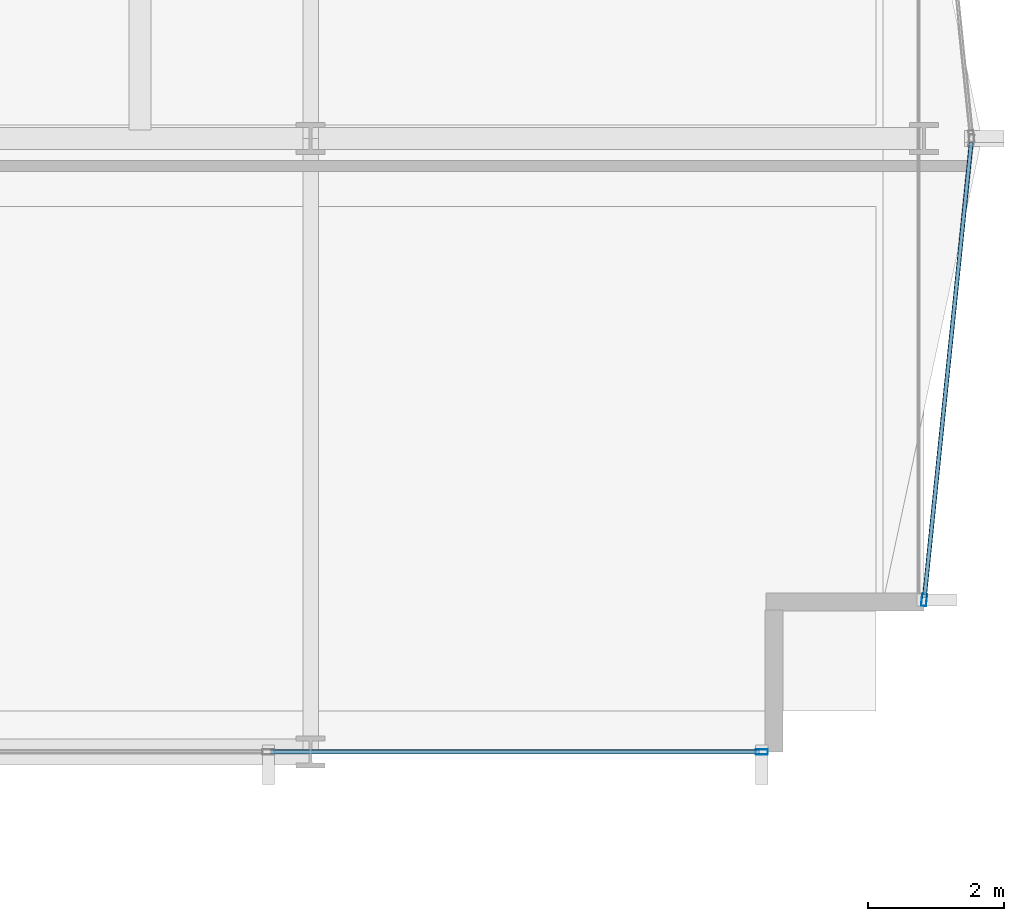
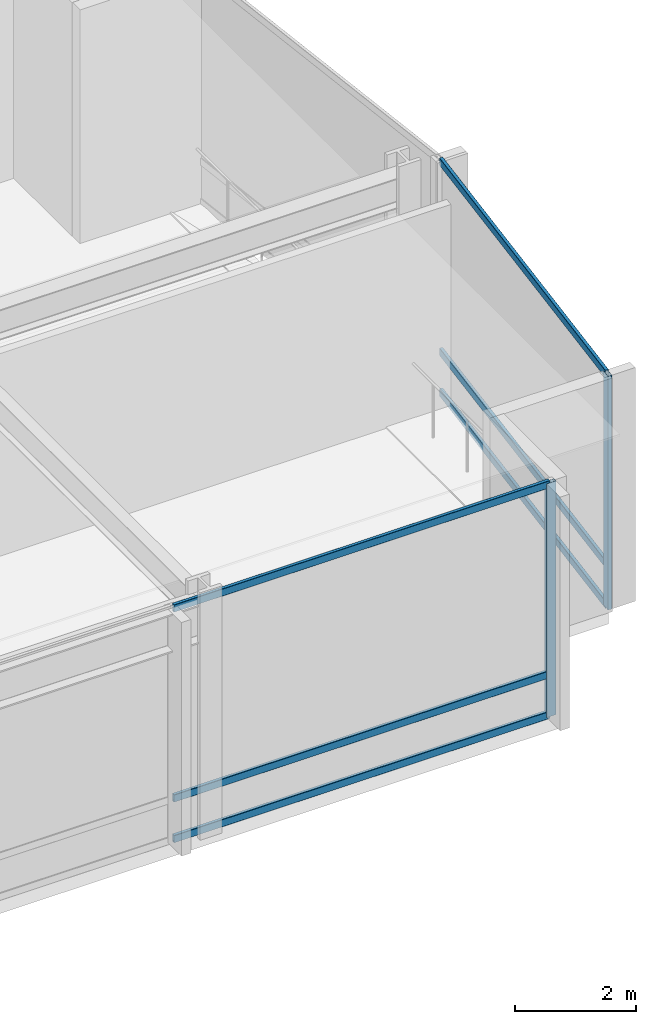
# One storey, part 14 of 39: 8 members, 2 elements without a shape of their own.
"""IFC4 building model written with IfcOpenShell, lengths in metres."""

from ifc_helpers import new_model, si_unit, direction, frame, origin, origin_2d, place, context, subcontext, project, spatial, hollow_rectangle, extrude, material, layer, layer_set, material_profile, profile_set, type_object, element, aggregate, save


model = new_model("IFC4")

# Units and contexts
model_context = context("Model", 3, precision=1e-05, world=origin(), true_north=direction((0.0, 1.0)))
body_context = subcontext(model_context, "Body", "Model", "MODEL_VIEW")
ifc_project = project(units=[si_unit("LENGTHUNIT", "METRE"), si_unit("AREAUNIT", "SQUARE_METRE"), si_unit("VOLUMEUNIT", "CUBIC_METRE"), si_unit("PLANEANGLEUNIT", "RADIAN"), si_unit("MASSUNIT", "GRAM", prefix="KILO")], contexts=[model_context])

# Site, building, storey
site_placement = place(None, origin())
site = spatial("IfcSite", under=ifc_project, at=site_placement, CompositionType="ELEMENT")
building_placement = place(site_placement, origin())
building = spatial("IfcBuilding", under=site, at=building_placement, Name="Solvaryn Broadcast Tower", CompositionType="ELEMENT")
storey_placement = place(building_placement, frame((0.0, 0.0, 84.10009765625)))
storey = spatial("IfcBuildingStorey", under=building, at=storey_placement, Name="L20", CompositionType="ELEMENT", Elevation=84.10009765625)

# Curtain wall, member
ifc_material_1 = material(Name="Aluminium and Terracotta Unitised Curtain Wall", Category="masonry")
ifc_layer = layer(ifc_material_1, 0.25)
ifc_layer_set = layer_set([ifc_layer], Name="CW-SYS4-SKYGARDEN")
curtain_wall_type = type_object("IfcCurtainWallType", Name="CW-SYS4-SKYGARDEN", PredefinedType="NOTDEFINED", material=ifc_layer_set)
curtain_wall_1_placement = place(storey_placement, origin())
curtain_wall_1 = element("IfcCurtainWall", 1, at=curtain_wall_1_placement, inside=storey, type_object=curtain_wall_type, Name="L20 Curtain Wall S2", PredefinedType="NOTDEFINED")
ifc_material_2 = material(Name="Anodised Aluminium 6063-T6", Category="aluminium")
ifc_material_profile_1 = material_profile(ifc_material_2, hollow_rectangle(XDim=0.074951171875, YDim=0.179931640625, WallThickness=0.00390625, InnerFilletRadius=0.00390625, OuterFilletRadius=0.008056640625, at=origin_2d()))
ifc_profile_set_1 = profile_set([ifc_material_profile_1], Name="Anodised Aluminium 6063-T6")
member_type_1 = type_object("IfcMemberType", Name="CW-MUL-180", PredefinedType="MULLION", material=ifc_profile_set_1)
member_1_placement = place(storey_placement, frame((60.6201171875, 9.0, 0.0), z_axis=(0.0, 0.0, 1.0), x_axis=(0.0, 1.0, 0.0)))
member_1 = element("IfcMember", 2, at=member_1_placement, type_object=member_type_1, Name="CWS4 mullion 3", PredefinedType="MULLION", context=body_context, shape_type="SweptSolid", body=[
    extrude(hollow_rectangle(XDim=0.074951171875, YDim=0.179931640625, WallThickness=0.00390625, InnerFilletRadius=0.00390625, OuterFilletRadius=0.008056640625, at=origin_2d()), origin(), (0.0, 0.0, 1.0), 4.719970703125),
])

curtain_wall_2_placement = place(storey_placement, origin())
curtain_wall_2 = element("IfcCurtainWall", 3, at=curtain_wall_2_placement, inside=storey, type_object=curtain_wall_type, Name="L20 Curtain Wall ET2", PredefinedType="NOTDEFINED")
member_2_placement = place(storey_placement, frame((63.003173828125, 11.229736328125, 0.0), z_axis=(0.0, 0.0, 1.0), x_axis=(0.99474329889, -0.10240004548, 0.0)))
member_2 = element("IfcMember", 4, at=member_2_placement, type_object=member_type_1, Name="CWS4 mullion 2", PredefinedType="MULLION", context=body_context, shape_type="SweptSolid", body=[
    extrude(hollow_rectangle(XDim=0.074951171875, YDim=0.179931640625, WallThickness=0.00390625, InnerFilletRadius=0.00390625, OuterFilletRadius=0.008056640625, at=origin_2d()), origin(), (0.0, 0.0, 1.0), 4.719970703125),
])

# Member
ifc_material_3 = material(Name="Anodised Aluminium 6063-T6", Category="aluminium")
ifc_material_profile_2 = material_profile(ifc_material_3, hollow_rectangle(XDim=0.06494140625, YDim=0.14990234375, WallThickness=0.00390625, InnerFilletRadius=0.00390625, OuterFilletRadius=0.008056640625, at=origin_2d()))
ifc_profile_set_2 = profile_set([ifc_material_profile_2], Name="Anodised Aluminium 6063-T6")
member_type_2 = type_object("IfcMemberType", Name="CW-TRN-150", PredefinedType="USERDEFINED", material=ifc_profile_set_2)
member_3_placement = place(storey_placement, frame((53.4130859375, 9.0, 0.02978515625), z_axis=(1.0, 0.0, 0.0), x_axis=(0.0, 1.0, 0.0)))
member_3 = element("IfcMember", 5, at=member_3_placement, type_object=member_type_2, Name="CWS4 transom 2.1", ObjectType="TRANSOM", PredefinedType="USERDEFINED", context=body_context, shape_type="SweptSolid", body=[
    extrude(hollow_rectangle(XDim=0.06494140625, YDim=0.14990234375, WallThickness=0.00390625, InnerFilletRadius=0.00390625, OuterFilletRadius=0.008056640625, at=origin_2d()), origin(), (0.0, 0.0, 1.0), 7.177001953125),
])

member_4_placement = place(storey_placement, frame((53.4130859375, 9.0, 0.849853515625), z_axis=(1.0, 0.0, 0.0), x_axis=(0.0, 1.0, 0.0)))
member_4 = element("IfcMember", 6, at=member_4_placement, type_object=member_type_2, Name="CWS4 transom 2.2", ObjectType="TRANSOM", PredefinedType="USERDEFINED", context=body_context, shape_type="SweptSolid", body=[
    extrude(hollow_rectangle(XDim=0.06494140625, YDim=0.14990234375, WallThickness=0.00390625, InnerFilletRadius=0.00390625, OuterFilletRadius=0.008056640625, at=origin_2d()), origin(), (0.0, 0.0, 1.0), 7.177001953125),
])

member_5_placement = place(storey_placement, frame((53.4130859375, 9.0, 4.68994140625), z_axis=(1.0, 0.0, 0.0), x_axis=(0.0, 1.0, 0.0)))
member_5 = element("IfcMember", 7, at=member_5_placement, type_object=member_type_2, Name="CWS4 transom 2.3", ObjectType="TRANSOM", PredefinedType="USERDEFINED", context=body_context, shape_type="SweptSolid", body=[
    extrude(hollow_rectangle(XDim=0.06494140625, YDim=0.14990234375, WallThickness=0.00390625, InnerFilletRadius=0.00390625, OuterFilletRadius=0.008056640625, at=origin_2d()), origin(), (0.0, 0.0, 1.0), 7.177001953125),
])

aggregate(curtain_wall_1, [member_1, member_3, member_4, member_5])

member_6_placement = place(storey_placement, frame((63.69384765625, 17.9404296875, 0.02978515625), z_axis=(-0.102404277363, -0.994742863245, 0.0), x_axis=(0.994742863245, -0.102404277363, 0.0)))
member_6 = element("IfcMember", 8, at=member_6_placement, type_object=member_type_2, Name="CWS4 transom 1.1", ObjectType="TRANSOM", PredefinedType="USERDEFINED", context=body_context, shape_type="SweptSolid", body=[
    extrude(hollow_rectangle(XDim=0.06494140625, YDim=0.14990234375, WallThickness=0.00390625, InnerFilletRadius=0.00390625, OuterFilletRadius=0.008056640625, at=origin_2d()), origin(), (0.0, 0.0, 1.0), 6.716064453125),
])

member_7_placement = place(storey_placement, frame((63.69384765625, 17.9404296875, 0.849853515625), z_axis=(-0.102404277363, -0.994742863245, 0.0), x_axis=(0.994742863245, -0.102404277363, 0.0)))
member_7 = element("IfcMember", 9, at=member_7_placement, type_object=member_type_2, Name="CWS4 transom 1.2", ObjectType="TRANSOM", PredefinedType="USERDEFINED", context=body_context, shape_type="SweptSolid", body=[
    extrude(hollow_rectangle(XDim=0.06494140625, YDim=0.14990234375, WallThickness=0.00390625, InnerFilletRadius=0.00390625, OuterFilletRadius=0.008056640625, at=origin_2d()), origin(), (0.0, 0.0, 1.0), 6.716064453125),
])

member_8_placement = place(storey_placement, frame((63.69384765625, 17.9404296875, 4.68994140625), z_axis=(-0.102404277363, -0.994742863245, 0.0), x_axis=(0.994742863245, -0.102404277363, 0.0)))
member_8 = element("IfcMember", 10, at=member_8_placement, type_object=member_type_2, Name="CWS4 transom 1.3", ObjectType="TRANSOM", PredefinedType="USERDEFINED", context=body_context, shape_type="SweptSolid", body=[
    extrude(hollow_rectangle(XDim=0.06494140625, YDim=0.14990234375, WallThickness=0.00390625, InnerFilletRadius=0.00390625, OuterFilletRadius=0.008056640625, at=origin_2d()), origin(), (0.0, 0.0, 1.0), 6.716064453125),
])

aggregate(curtain_wall_2, [member_2, member_6, member_7, member_8])

save(model, "model.ifc")
